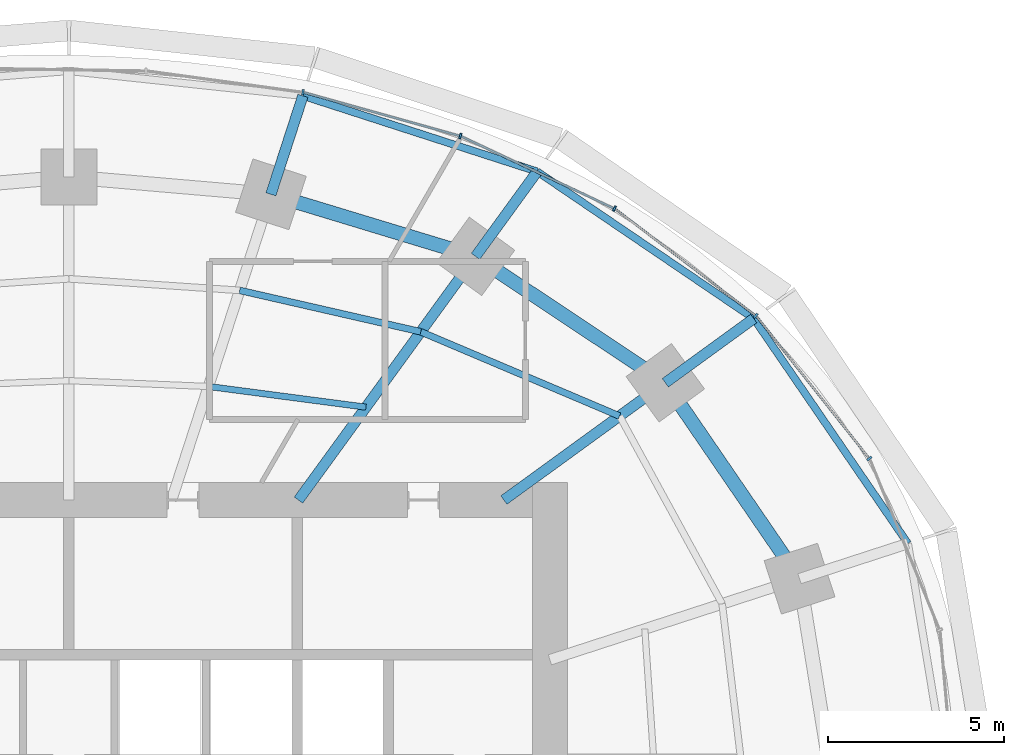
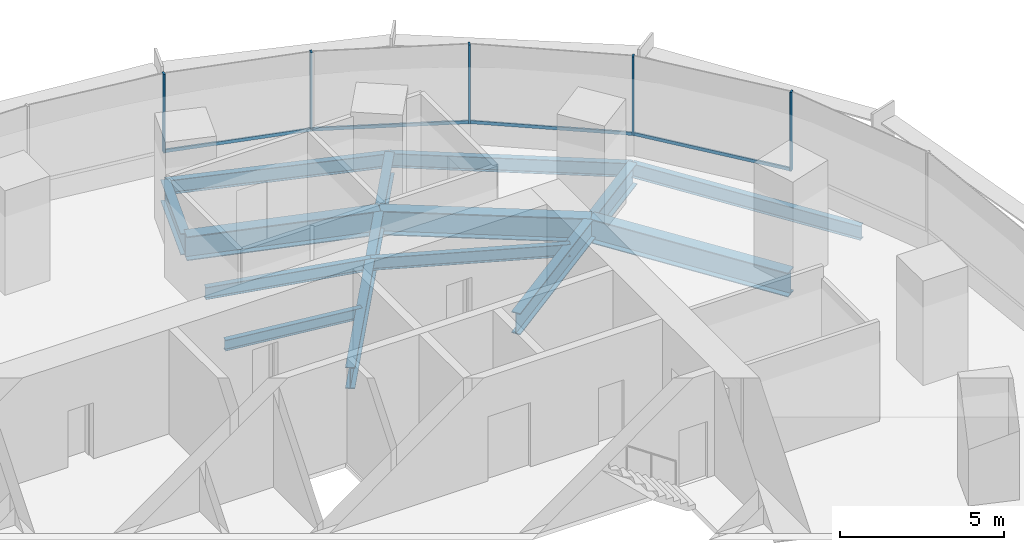
# One storey, part 8 of 14: 14 beams, 9 members, 2 elements without a shape of their own.
"""IFC4 building model written with IfcOpenShell, lengths in metres."""

from ifc_helpers import new_model, si_unit, direction, frame, origin, origin_2d, place, context, subcontext, project, spatial, rectangle, i_section, extrude, material, material_profile, profile_set, type_object, element, aggregate, save


model = new_model("IFC4")

# Units and contexts
model_context = context("Model", 3, precision=1e-05, world=origin(), true_north=direction((0.0, 1.0)))
body_context = subcontext(model_context, "Body", "Model", "MODEL_VIEW")
ifc_project = project(units=[si_unit("LENGTHUNIT", "METRE"), si_unit("AREAUNIT", "SQUARE_METRE"), si_unit("VOLUMEUNIT", "CUBIC_METRE"), si_unit("PLANEANGLEUNIT", "RADIAN"), si_unit("MASSUNIT", "GRAM", prefix="KILO")], contexts=[model_context])

# Site, building, storey
site_placement = place(None, origin())
site = spatial("IfcSite", under=ifc_project, at=site_placement, CompositionType="ELEMENT")
building_placement = place(site_placement, origin())
building = spatial("IfcBuilding", under=site, at=building_placement, Name="Marramba Exchange Tower", CompositionType="ELEMENT")
storey_placement = place(building_placement, frame((0.0, 0.0, 139.199951171875)))
storey = spatial("IfcBuildingStorey", under=building, at=storey_placement, Name="L33", CompositionType="ELEMENT", Elevation=139.199951171875)

# Beams
ifc_material_1 = material(Name="Steel AS/NZS 3679.2 grade 300", Category="steel")
ifc_material_profile_1 = material_profile(ifc_material_1, i_section(OverallWidth=0.300048828125, OverallDepth=0.800048828125, WebThickness=0.013916015625, FlangeThickness=0.031982421875, at=origin_2d()), Name="800WB192")
ifc_profile_set_1 = profile_set([ifc_material_profile_1], Name="Steel AS/NZS 3679.2 grade 300")
beam_type_1 = type_object("IfcBeamType", Name="Cantilever girder 800WB192", PredefinedType="BEAM", material=ifc_profile_set_1)
beam_1_placement = place(storey_placement, frame((16.98583984375, 12.3408203125, -0.56005859375), z_axis=(0.809013970709, 0.58778941399, 0.0), x_axis=(-0.58778941399, 0.809013970709, 0.0)))
element("IfcBeam", 1, at=beam_1_placement, inside=storey, type_object=beam_type_1, Name="Cantilever girder L33 TC03", PredefinedType="BEAM", context=body_context, shape_type="SweptSolid", body=[
    extrude(i_section(OverallWidth=0.300048828125, OverallDepth=0.800048828125, WebThickness=0.013916015625, FlangeThickness=0.031982421875, at=origin_2d()), origin(), (0.0, 0.0, 1.0), 3.1142578125),
])
beam_2_placement = place(storey_placement, frame((11.581298828125, 15.9404296875, -0.56005859375), z_axis=(0.587821738214, 0.808990484544, 0.0), x_axis=(-0.808990484544, 0.587821738214, 0.0)))
element("IfcBeam", 2, at=beam_2_placement, inside=storey, type_object=beam_type_1, Name="Cantilever girder L33 TC04", PredefinedType="BEAM", context=body_context, shape_type="SweptSolid", body=[
    extrude(i_section(OverallWidth=0.300048828125, OverallDepth=0.800048828125, WebThickness=0.013916015625, FlangeThickness=0.031982421875, at=origin_2d()), origin(), (0.0, 0.0, 1.0), 2.987060546875),
])
beam_3_placement = place(storey_placement, frame((5.75390625, 17.70849609375, -0.56005859375), z_axis=(0.309018704887, 0.951055960514, 0.0), x_axis=(-0.951055960514, 0.309018704887, 0.0)))
element("IfcBeam", 3, at=beam_3_placement, inside=storey, type_object=beam_type_1, Name="Cantilever girder L33 TC05", PredefinedType="BEAM", context=body_context, shape_type="SweptSolid", body=[
    extrude(i_section(OverallWidth=0.300048828125, OverallDepth=0.800048828125, WebThickness=0.013916015625, FlangeThickness=0.031982421875, at=origin_2d()), origin(), (0.0, 0.0, 1.0), 2.949951171875),
])
ifc_material_2 = material(Name="Steel AS/NZS 3679.1 grade 300", Category="steel")
ifc_material_profile_2 = material_profile(ifc_material_2, i_section(OverallWidth=0.177978515625, OverallDepth=0.406005859375, WebThickness=0.0078125, FlangeThickness=0.0126953125, FilletRadius=0.011474609375, at=origin_2d()), Name="410UB59.7")
ifc_profile_set_2 = profile_set([ifc_material_profile_2], Name="Steel AS/NZS 3679.1 grade 300")
beam_type_2 = type_object("IfcBeamType", Name="Floor joist 410UB59.7", PredefinedType="JOIST", material=ifc_profile_set_2)
beam_4_placement = place(storey_placement, frame((8.4619140625, 11.646728515625, -0.363037109375), z_axis=(-0.991480538255, 0.130254912618, 0.0), x_axis=(-0.130254912618, -0.991480538255, 0.0)))
element("IfcBeam", 4, at=beam_4_placement, inside=storey, type_object=beam_type_2, Name="Joist L33 bay 04 row 1", PredefinedType="JOIST", context=body_context, shape_type="SweptSolid", body=[
    extrude(i_section(OverallWidth=0.177978515625, OverallDepth=0.406005859375, WebThickness=0.0078125, FlangeThickness=0.0126953125, FilletRadius=0.011474609375, at=origin_2d()), origin(), (0.0, 0.0, 1.0), 4.524658203125),
])
ifc_material_profile_3 = material_profile(ifc_material_2, i_section(OverallWidth=0.18994140625, OverallDepth=0.4541015625, WebThickness=0.008544921875, FlangeThickness=0.0126953125, FilletRadius=0.011474609375, at=origin_2d()), Name="460UB67.1")
ifc_profile_set_3 = profile_set([ifc_material_profile_3], Name="Steel AS/NZS 3679.1 grade 300")
beam_type_3 = type_object("IfcBeamType", Name="Floor joist 460UB67.1", PredefinedType="JOIST", material=ifc_profile_set_3)
beam_5_placement = place(storey_placement, frame((15.682373046875, 11.393798828125, -0.386962890625), z_axis=(-0.920674336375, 0.390331610738, 0.0), x_axis=(-0.390331610738, -0.920674336375, 0.0)))
element("IfcBeam", 5, at=beam_5_placement, inside=storey, type_object=beam_type_3, Name="Joist L33 bay 03 row 2", PredefinedType="JOIST", context=body_context, shape_type="SweptSolid", body=[
    extrude(i_section(OverallWidth=0.18994140625, OverallDepth=0.4541015625, WebThickness=0.008544921875, FlangeThickness=0.0126953125, FilletRadius=0.011474609375, at=origin_2d()), origin(), (0.0, 0.0, 1.0), 6.1484375),
])
beam_6_placement = place(storey_placement, frame((10.021728515625, 13.793701171875, -0.386962890625), z_axis=(-0.974859652292, 0.222819788916, 0.0), x_axis=(-0.222819788916, -0.974859652292, 0.0)))
element("IfcBeam", 6, at=beam_6_placement, inside=storey, type_object=beam_type_3, Name="Joist L33 bay 04 row 2", PredefinedType="JOIST", context=body_context, shape_type="SweptSolid", body=[
    extrude(i_section(OverallWidth=0.18994140625, OverallDepth=0.4541015625, WebThickness=0.008544921875, FlangeThickness=0.0126953125, FilletRadius=0.011474609375, at=origin_2d()), origin(), (0.0, 0.0, 1.0), 5.2900390625),
])

# Curtain wall, members
ifc_material_3 = material(Name="Aluminium framing, bronze anodised", Category="aluminium")
curtain_wall_type = type_object("IfcCurtainWallType", Name="Office ribbon curtain wall", PredefinedType="USERDEFINED", material=ifc_material_3)
curtain_wall_1_placement = place(storey_placement, origin())
curtain_wall_1 = element("IfcCurtainWall", 7, at=curtain_wall_1_placement, inside=storey, type_object=curtain_wall_type, Name="Curtain wall CW4 L33 F01-F05", ObjectType="RIBBON CURTAIN WALL", PredefinedType="USERDEFINED")
ifc_material_4 = material(Name="Aluminium mullion, bronze anodised", Category="aluminium")
ifc_material_profile_4 = material_profile(ifc_material_4, rectangle(XDim=0.159912109375, YDim=0.06005859375, at=origin_2d()), Name="CW4 mullion 60x160")
ifc_profile_set_4 = profile_set([ifc_material_profile_4], Name="Aluminium mullion, bronze anodised")
member_type_1 = type_object("IfcMemberType", Name="Office ribbon curtain wall mullion", PredefinedType="MULLION", material=ifc_profile_set_4)
member_1_placement = place(storey_placement, frame((22.796630859375, 10.181640625, 0.800048828125), z_axis=(0.0, 0.0, 1.0), x_axis=(-0.783563266703, -0.621312004611, 0.0)))
member_1 = element("IfcMember", 8, at=member_1_placement, type_object=member_type_1, Name="CW4 mullion 1", PredefinedType="MULLION", context=body_context, shape_type="SweptSolid", body=[
    extrude(rectangle(XDim=0.159912109375, YDim=0.06005859375, at=origin_2d()), origin(), (0.0, 0.0, 1.0), 2.93994140625),
])
member_2_placement = place(storey_placement, frame((19.5625, 14.24853515625, 0.800048828125), z_axis=(0.0, 0.0, 1.0), x_axis=(-0.60533377223, -0.795971748366, 0.0)))
member_2 = element("IfcMember", 9, at=member_2_placement, type_object=member_type_1, Name="CW4 mullion 1", PredefinedType="MULLION", context=body_context, shape_type="SweptSolid", body=[
    extrude(rectangle(XDim=0.159912109375, YDim=0.06005859375, at=origin_2d()), origin(), (0.0, 0.0, 1.0), 2.93994140625),
])
member_3_placement = place(storey_placement, frame((15.538818359375, 17.300537109375, 0.800048828125), z_axis=(0.0, 0.0, 1.0), x_axis=(-0.426678995157, -0.904403137485, 0.0)))
member_3 = element("IfcMember", 10, at=member_3_placement, type_object=member_type_1, Name="CW4 mullion 1", PredefinedType="MULLION", context=body_context, shape_type="SweptSolid", body=[
    extrude(rectangle(XDim=0.159912109375, YDim=0.06005859375, at=origin_2d()), origin(), (0.0, 0.0, 1.0), 2.93994140625),
])

curtain_wall_2_placement = place(storey_placement, origin())
curtain_wall_2 = element("IfcCurtainWall", 11, at=curtain_wall_2_placement, inside=storey, type_object=curtain_wall_type, Name="Curtain wall CW4 L33 F06-F10", ObjectType="RIBBON CURTAIN WALL", PredefinedType="USERDEFINED")
member_4_placement = place(storey_placement, frame((11.147705078125, 19.366455078125, 0.800048828125), z_axis=(0.0, 0.0, 1.0), x_axis=(-0.268865090816, -0.963177845956, 0.0)))
member_4 = element("IfcMember", 12, at=member_4_placement, type_object=member_type_1, Name="CW4 mullion 1", PredefinedType="MULLION", context=body_context, shape_type="SweptSolid", body=[
    extrude(rectangle(XDim=0.159912109375, YDim=0.06005859375, at=origin_2d()), origin(), (0.0, 0.0, 1.0), 2.93994140625),
])
member_5_placement = place(storey_placement, frame((6.66650390625, 20.61328125, 0.800048828125), z_axis=(0.0, 0.0, 1.0), x_axis=(-0.135785837319, -0.990738212841, 0.0)))
member_5 = element("IfcMember", 13, at=member_5_placement, type_object=member_type_1, Name="CW4 mullion 1", PredefinedType="MULLION", context=body_context, shape_type="SweptSolid", body=[
    extrude(rectangle(XDim=0.159912109375, YDim=0.06005859375, at=origin_2d()), origin(), (0.0, 0.0, 1.0), 2.93994140625),
])

# Member
ifc_material_5 = material(Name="Aluminium transom, bronze anodised", Category="aluminium")
ifc_material_profile_5 = material_profile(ifc_material_5, rectangle(XDim=0.06005859375, YDim=0.1201171875, at=origin_2d()), Name="CW4 transom 60x120")
ifc_profile_set_5 = profile_set([ifc_material_profile_5], Name="Aluminium transom, bronze anodised")
member_type_2 = type_object("IfcMemberType", Name="Office ribbon curtain wall transom", PredefinedType="USERDEFINED", material=ifc_profile_set_5)
member_6_placement = place(storey_placement, frame((22.778076171875, 10.205078125, 0.830078125), z_axis=(-0.621339379472, 0.783541559534, 0.0), x_axis=(-0.783541559534, -0.621339379472, 0.0)))
member_6 = element("IfcMember", 14, at=member_6_placement, type_object=member_type_2, Name="CW4 sill transom", ObjectType="TRANSOM", PredefinedType="USERDEFINED", context=body_context, shape_type="SweptSolid", body=[
    extrude(rectangle(XDim=0.06005859375, YDim=0.1201171875, at=origin_2d()), origin(), (0.0, 0.0, 1.0), 5.13720703125),
])

member_7_placement = place(storey_placement, frame((19.53857421875, 14.2666015625, 0.830078125), z_axis=(-0.7959906025, 0.605308979556, 0.0), x_axis=(-0.605308979556, -0.7959906025, 0.0)))
member_7 = element("IfcMember", 15, at=member_7_placement, type_object=member_type_2, Name="CW4 sill transom", ObjectType="TRANSOM", PredefinedType="USERDEFINED", context=body_context, shape_type="SweptSolid", body=[
    extrude(rectangle(XDim=0.06005859375, YDim=0.1201171875, at=origin_2d()), origin(), (0.0, 0.0, 1.0), 4.99072265625),
])

member_8_placement = place(storey_placement, frame((15.51171875, 17.313232421875, 0.830078125), z_axis=(-0.904410826824, 0.426662696193, 0.0), x_axis=(-0.426662696193, -0.904410826824, 0.0)))
member_8 = element("IfcMember", 16, at=member_8_placement, type_object=member_type_2, Name="CW4 sill transom", ObjectType="TRANSOM", PredefinedType="USERDEFINED", context=body_context, shape_type="SweptSolid", body=[
    extrude(rectangle(XDim=0.06005859375, YDim=0.1201171875, at=origin_2d()), origin(), (0.0, 0.0, 1.0), 4.79345703125),
])

aggregate(curtain_wall_1, [member_1, member_6, member_2, member_7, member_3, member_8])

member_9_placement = place(storey_placement, frame((11.118896484375, 19.37451171875, 0.830078125), z_axis=(-0.963173567938, 0.268880415847, 0.0), x_axis=(-0.268880415847, -0.963173567938, 0.0)))
member_9 = element("IfcMember", 17, at=member_9_placement, type_object=member_type_2, Name="CW4 sill transom", ObjectType="TRANSOM", PredefinedType="USERDEFINED", context=body_context, shape_type="SweptSolid", body=[
    extrude(rectangle(XDim=0.06005859375, YDim=0.1201171875, at=origin_2d()), origin(), (0.0, 0.0, 1.0), 4.591796875),
])

aggregate(curtain_wall_2, [member_4, member_9, member_5])

# Beams
ifc_material_profile_6 = material_profile(ifc_material_1, i_section(OverallWidth=0.300048828125, OverallDepth=0.800048828125, WebThickness=0.013916015625, FlangeThickness=0.031982421875, at=origin_2d()), Name="800WB192")
ifc_profile_set_6 = profile_set([ifc_material_profile_6], Name="Steel AS/NZS 3679.2 grade 300")
beam_type_4 = type_object("IfcBeamType", Name="Radial girder 800WB192", PredefinedType="BEAM", material=ifc_profile_set_6)
beam_7_placement = place(storey_placement, frame((12.387451171875, 9.0, -0.56005859375), z_axis=(0.809025746925, 0.587773205252, 0.0), x_axis=(-0.587773205252, 0.809025746925, 0.0)))
element("IfcBeam", 18, at=beam_7_placement, inside=storey, type_object=beam_type_4, Name="Radial girder L33 TC03", PredefinedType="BEAM", context=body_context, shape_type="SweptSolid", body=[
    extrude(i_section(OverallWidth=0.300048828125, OverallDepth=0.800048828125, WebThickness=0.013916015625, FlangeThickness=0.031982421875, at=origin_2d()), origin(), (0.0, 0.0, 1.0), 5.683837890625),
])
beam_8_placement = place(storey_placement, frame((6.538818359375, 9.0, -0.56005859375), z_axis=(0.587782439969, 0.80901903764, 0.0), x_axis=(-0.80901903764, 0.587782439969, 0.0)))
element("IfcBeam", 19, at=beam_8_placement, inside=storey, type_object=beam_type_4, Name="Radial girder L33 TC04", PredefinedType="BEAM", context=body_context, shape_type="SweptSolid", body=[
    extrude(i_section(OverallWidth=0.300048828125, OverallDepth=0.800048828125, WebThickness=0.013916015625, FlangeThickness=0.031982421875, at=origin_2d()), origin(), (0.0, 0.0, 1.0), 8.578857421875),
])
ifc_material_profile_7 = material_profile(ifc_material_1, i_section(OverallWidth=0.39990234375, OverallDepth=0.89990234375, WebThickness=0.01611328125, FlangeThickness=0.031982421875, at=origin_2d()), Name="900WB282")
ifc_profile_set_7 = profile_set([ifc_material_profile_7], Name="Steel AS/NZS 3679.2 grade 300")
beam_type_5 = type_object("IfcBeamType", Name="Ring beam 900WB282", PredefinedType="SPANDREL", material=ifc_profile_set_7)
beam_9_placement = place(storey_placement, frame((20.808349609375, 6.760986328125, -0.60986328125), z_axis=(-0.56516002054, 0.824981303535, 0.0), x_axis=(-0.824981303535, -0.56516002054, 0.0)))
element("IfcBeam", 20, at=beam_9_placement, inside=storey, type_object=beam_type_5, Name="Ring beam L33 TC02-TC03", PredefinedType="SPANDREL", context=body_context, shape_type="SweptSolid", body=[
    extrude(i_section(OverallWidth=0.39990234375, OverallDepth=0.89990234375, WebThickness=0.01611328125, FlangeThickness=0.031982421875, at=origin_2d()), origin(), (0.0, 0.0, 1.0), 6.763671875),
])
beam_10_placement = place(storey_placement, frame((16.98583984375, 12.3408203125, -0.60986328125), z_axis=(-0.832293151443, 0.554335737673, 0.0), x_axis=(-0.554335737673, -0.832293151443, 0.0)))
element("IfcBeam", 21, at=beam_10_placement, inside=storey, type_object=beam_type_5, Name="Ring beam L33 TC03-TC04", PredefinedType="SPANDREL", context=body_context, shape_type="SweptSolid", body=[
    extrude(i_section(OverallWidth=0.39990234375, OverallDepth=0.89990234375, WebThickness=0.01611328125, FlangeThickness=0.031982421875, at=origin_2d()), origin(), (0.0, 0.0, 1.0), 6.49365234375),
])
beam_11_placement = place(storey_placement, frame((11.581298828125, 15.9404296875, -0.60986328125), z_axis=(-0.956924542524, 0.290336735387, 0.0), x_axis=(-0.290336735387, -0.956924542524, 0.0)))
element("IfcBeam", 22, at=beam_11_placement, inside=storey, type_object=beam_type_5, Name="Ring beam L33 TC04-TC05", PredefinedType="SPANDREL", context=body_context, shape_type="SweptSolid", body=[
    extrude(i_section(OverallWidth=0.39990234375, OverallDepth=0.89990234375, WebThickness=0.01611328125, FlangeThickness=0.031982421875, at=origin_2d()), origin(), (0.0, 0.0, 1.0), 6.089599609375),
])
ifc_material_profile_8 = material_profile(ifc_material_2, i_section(OverallWidth=0.208984375, OverallDepth=0.528076171875, WebThickness=0.009521484375, FlangeThickness=0.01318359375, FilletRadius=0.013916015625, at=origin_2d()), Name="530UB82.0")
ifc_profile_set_8 = profile_set([ifc_material_profile_8], Name="Steel AS/NZS 3679.1 grade 300")
beam_type_6 = type_object("IfcBeamType", Name="Slab edge beam 530UB82.0", PredefinedType="SPANDREL", material=ifc_profile_set_8)
beam_12_placement = place(storey_placement, frame((23.89501953125, 7.763916015625, -0.424072265625), z_axis=(-0.56517400038, 0.824971726361, 0.0), x_axis=(-0.824971726361, -0.56517400038, 0.0)))
element("IfcBeam", 23, at=beam_12_placement, inside=storey, type_object=beam_type_6, Name="Slab edge beam L33 TC02-TC03", PredefinedType="SPANDREL", context=body_context, shape_type="SweptSolid", body=[
    extrude(i_section(OverallWidth=0.208984375, OverallDepth=0.528076171875, WebThickness=0.009521484375, FlangeThickness=0.01318359375, FilletRadius=0.013916015625, at=origin_2d()), origin(), (0.0, 0.0, 1.0), 7.766845703125),
])
beam_13_placement = place(storey_placement, frame((19.50537109375, 14.17138671875, -0.424072265625), z_axis=(-0.827477404833, 0.561499015574, 0.0), x_axis=(-0.561499015574, -0.827477404833, 0.0)))
element("IfcBeam", 24, at=beam_13_placement, inside=storey, type_object=beam_type_6, Name="Slab edge beam L33 TC03-TC04", PredefinedType="SPANDREL", context=body_context, shape_type="SweptSolid", body=[
    extrude(i_section(OverallWidth=0.208984375, OverallDepth=0.528076171875, WebThickness=0.009521484375, FlangeThickness=0.01318359375, FilletRadius=0.013916015625, at=origin_2d()), origin(), (0.0, 0.0, 1.0), 7.454345703125),
])
beam_14_placement = place(storey_placement, frame((13.337158203125, 18.35693359375, -0.424072265625), z_axis=(-0.951496392577, 0.307659901373, 0.0), x_axis=(-0.307659901373, -0.951496392577, 0.0)))
element("IfcBeam", 25, at=beam_14_placement, inside=storey, type_object=beam_type_6, Name="Slab edge beam L33 TC04-TC05", PredefinedType="SPANDREL", context=body_context, shape_type="SweptSolid", body=[
    extrude(i_section(OverallWidth=0.208984375, OverallDepth=0.528076171875, WebThickness=0.009521484375, FlangeThickness=0.01318359375, FilletRadius=0.013916015625, at=origin_2d()), origin(), (0.0, 0.0, 1.0), 7.01171875),
])

save(model, "model.ifc")
